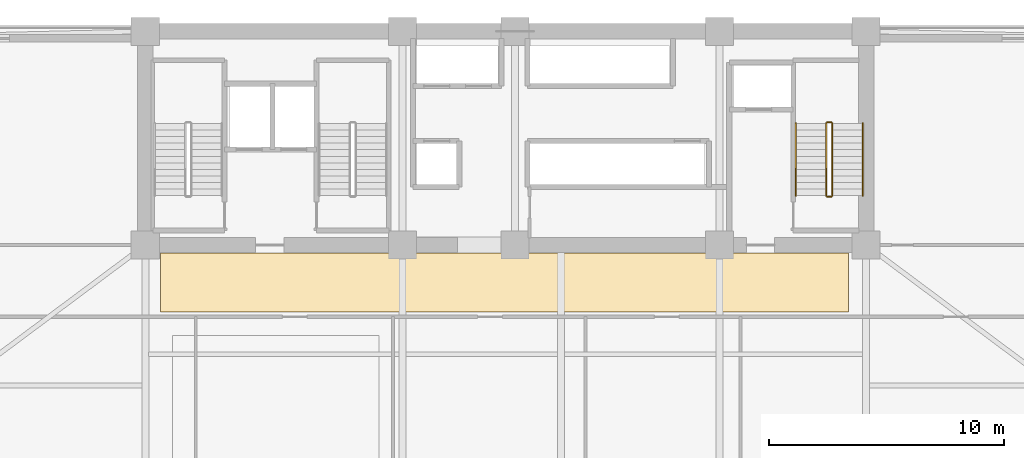
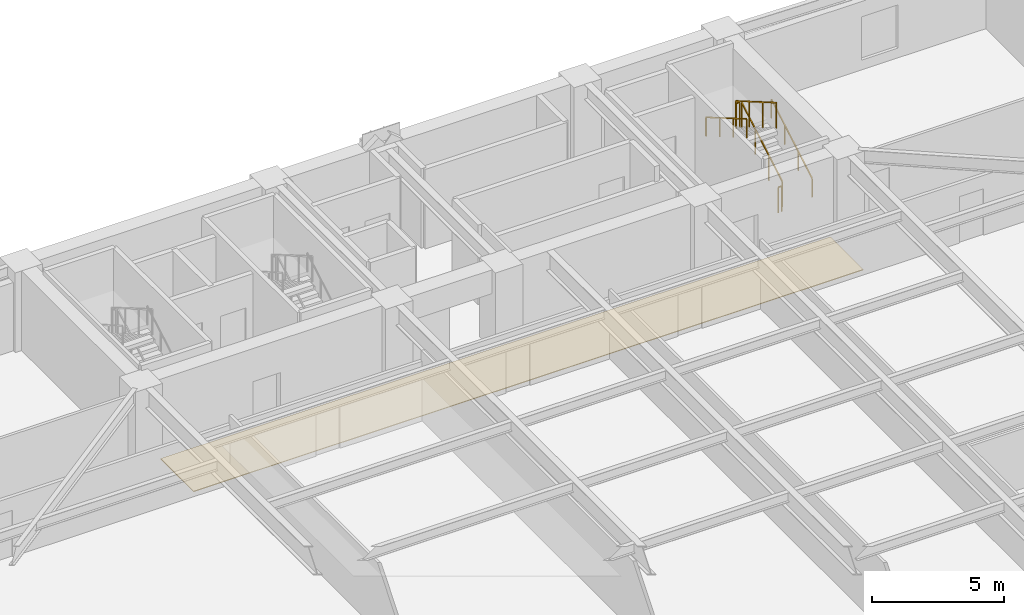
# One storey, part 16 of 17: 6 railings, 1 covering.
"""IFC4 building model written with IfcOpenShell, lengths in metres."""

from ifc_helpers import new_model, si_unit, direction, frame, origin, origin_2d, place, context, subcontext, project, spatial, polyline, rectangle, outline, extrude, material, layer, layer_set, type_object, element, save


model = new_model("IFC4")

# Units and contexts
model_context = context("Model", 3, precision=1e-05, world=origin(), true_north=direction((0.0, 1.0)))
body_context = subcontext(model_context, "Body", "Model", "MODEL_VIEW")
ifc_project = project(units=[si_unit("LENGTHUNIT", "METRE"), si_unit("AREAUNIT", "SQUARE_METRE"), si_unit("VOLUMEUNIT", "CUBIC_METRE"), si_unit("PLANEANGLEUNIT", "RADIAN"), si_unit("MASSUNIT", "GRAM", prefix="KILO")], contexts=[model_context])

# Site, building, storey
site_placement = place(None, origin())
site = spatial("IfcSite", under=ifc_project, at=site_placement, CompositionType="ELEMENT")
building_placement = place(site_placement, origin())
building = spatial("IfcBuilding", under=site, at=building_placement, Name="Giltprow Tower", CompositionType="ELEMENT")
storey_placement = place(building_placement, frame((0.0, 0.0, 57.199951171875)))
storey = spatial("IfcBuildingStorey", under=building, at=storey_placement, Name="L14", CompositionType="ELEMENT", Elevation=57.199951171875)

# Covering
ifc_material_1 = material(Name="Honed granite", Category="masonry")
ifc_layer = layer(ifc_material_1, 0.030029296875, Name="Honed granite")
ifc_layer_set = layer_set([ifc_layer], Name="Honed granite")
covering_type = type_object("IfcCoveringType", Name="COV-FLR-STONE", PredefinedType="FLOORING", material=ifc_layer_set)
covering_placement = place(storey_placement, origin())
element("IfcCovering", 1, at=covering_placement, inside=storey, type_object=covering_type, Name="L14 Office Corridor Stone Flooring", PredefinedType="FLOORING", context=body_context, shape_type="SweptSolid", body=[
    extrude(outline(polyline([(20.5, 34.60009765625), (49.800048828125, 34.60009765625), (49.800048828125, 37.10009765625), (20.5, 37.10009765625), (20.5, 34.60009765625)])), origin(), (0.0, 0.0, 1.0), 0.030029296875),
])

# Railings
ifc_material_2 = material(Name="Anodized bronze", Category="metal")
railing_type_1 = type_object("IfcRailingType", Name="RAIL-STAIR-GUARD-1200", PredefinedType="GUARDRAIL", material=ifc_material_2)
railing_1_placement = place(storey_placement, frame((49.110107421875, 39.550048828125, 0.16259765625)))
element("IfcRailing", 2, at=railing_1_placement, inside=storey, type_object=railing_type_1, Name="L14 ST-3 stair guard 1", PredefinedType="GUARDRAIL", context=body_context, shape_type="SweptSolid", body=[
    extrude(rectangle(XDim=0.048095703125, YDim=0.048095703125, at=origin_2d()), frame((0.0, 0.0, 1.17578125), z_axis=(0.0, 0.864903211148, 0.501938676878), x_axis=(-1.0, 0.0, 0.0)), (0.0, 0.0, 1.0), 3.560791015625),
    extrude(rectangle(XDim=0.0419921875, YDim=0.0419921875, at=origin_2d()), origin(), (0.0, 0.0, 1.0), 1.15185546875),
    extrude(rectangle(XDim=0.0419921875, YDim=0.0419921875, at=origin_2d()), frame((0.0, 1.026611328125, 0.595703125)), (0.0, 0.0, 1.0), 1.15185546875),
    extrude(rectangle(XDim=0.0419921875, YDim=0.0419921875, at=origin_2d()), frame((0.0, 2.05322265625, 1.191650390625)), (0.0, 0.0, 1.0), 1.15185546875),
    extrude(rectangle(XDim=0.0419921875, YDim=0.0419921875, at=origin_2d()), frame((0.0, 3.079833984375, 1.787353515625)), (0.0, 0.0, 1.0), 1.15185546875),
])
railing_2_placement = place(storey_placement, frame((49.06005859375, 42.679931640625, 1.949951171875)))
element("IfcRailing", 3, at=railing_2_placement, inside=storey, type_object=railing_type_1, Name="L14 ST-3 stair guard 2", PredefinedType="GUARDRAIL", context=body_context, shape_type="SweptSolid", body=[
    extrude(rectangle(XDim=0.048095703125, YDim=0.048095703125, at=origin_2d()), frame((0.0, 0.0, 1.17578125), z_axis=(-1.0, 0.0, 0.0), x_axis=(0.0, -1.0, 0.0)), (0.0, 0.0, 1.0), 0.16015625),
    extrude(rectangle(XDim=0.0419921875, YDim=0.0419921875, at=origin_2d()), origin(), (0.0, 0.0, 1.0), 1.15185546875),
    extrude(rectangle(XDim=0.0419921875, YDim=0.0419921875, at=origin_2d()), frame((-0.16015625, 0.0, 0.0)), (0.0, 0.0, 1.0), 1.15185546875),
])
railing_3_placement = place(storey_placement, frame((48.85009765625, 42.6298828125, 2.112548828125)))
element("IfcRailing", 4, at=railing_3_placement, inside=storey, type_object=railing_type_1, Name="L14 ST-3 stair guard 3", PredefinedType="GUARDRAIL", context=body_context, shape_type="SweptSolid", body=[
    extrude(rectangle(XDim=0.048095703125, YDim=0.048095703125, at=origin_2d()), frame((0.0, 0.0, 1.17578125), z_axis=(0.0, -0.864873446163, 0.501989962173), x_axis=(1.0, 0.0, 0.0)), (0.0, 0.0, 1.0), 3.56103515625),
    extrude(rectangle(XDim=0.0419921875, YDim=0.0419921875, at=origin_2d()), origin(), (0.0, 0.0, 1.0), 1.15185546875),
    extrude(rectangle(XDim=0.0419921875, YDim=0.0419921875, at=origin_2d()), frame((0.0, -1.026611328125, 0.595947265625)), (0.0, 0.0, 1.0), 1.15185546875),
    extrude(rectangle(XDim=0.0419921875, YDim=0.0419921875, at=origin_2d()), frame((0.0, -2.05322265625, 1.191650390625)), (0.0, 0.0, 1.0), 1.15185546875),
    extrude(rectangle(XDim=0.0419921875, YDim=0.0419921875, at=origin_2d()), frame((0.0, -3.079833984375, 1.78759765625)), (0.0, 0.0, 1.0), 1.15185546875),
])
railing_4_placement = place(storey_placement, frame((49.06005859375, 39.5, 0.0)))
element("IfcRailing", 5, at=railing_4_placement, inside=storey, type_object=railing_type_1, Name="L14 ST-3 stair guard 4", PredefinedType="GUARDRAIL", context=body_context, shape_type="SweptSolid", body=[
    extrude(rectangle(XDim=0.048095703125, YDim=0.048095703125, at=origin_2d()), frame((0.0, 0.0, 1.17578125), z_axis=(-1.0, 0.0, 0.0), x_axis=(0.0, -1.0, 0.0)), (0.0, 0.0, 1.0), 0.16015625),
    extrude(rectangle(XDim=0.0419921875, YDim=0.0419921875, at=origin_2d()), origin(), (0.0, 0.0, 1.0), 1.15185546875),
    extrude(rectangle(XDim=0.0419921875, YDim=0.0419921875, at=origin_2d()), frame((-0.16015625, 0.0, 0.0)), (0.0, 0.0, 1.0), 1.15185546875),
])
railing_type_2 = type_object("IfcRailingType", Name="RAIL-STAIR-HAND-900", PredefinedType="HANDRAIL", material=ifc_material_2)
railing_5_placement = place(storey_placement, frame((50.409912109375, 39.550048828125, 0.16259765625)))
element("IfcRailing", 6, at=railing_5_placement, inside=storey, type_object=railing_type_2, Name="L14 ST-3 stair handrail 1", PredefinedType="HANDRAIL", context=body_context, shape_type="SweptSolid", body=[
    extrude(rectangle(XDim=0.048095703125, YDim=0.048095703125, at=origin_2d()), frame((0.0, 0.0, 0.8759765625), z_axis=(0.0, 0.864903211148, 0.501938676878), x_axis=(-1.0, 0.0, 0.0)), (0.0, 0.0, 1.0), 3.560791015625),
    extrude(rectangle(XDim=0.0419921875, YDim=0.0419921875, at=origin_2d()), origin(), (0.0, 0.0, 1.0), 0.851806640625),
    extrude(rectangle(XDim=0.0419921875, YDim=0.0419921875, at=origin_2d()), frame((0.0, 1.026611328125, 0.595703125)), (0.0, 0.0, 1.0), 0.851806640625),
    extrude(rectangle(XDim=0.0419921875, YDim=0.0419921875, at=origin_2d()), frame((0.0, 2.05322265625, 1.191650390625)), (0.0, 0.0, 1.0), 0.851806640625),
    extrude(rectangle(XDim=0.0419921875, YDim=0.0419921875, at=origin_2d()), frame((0.0, 3.079833984375, 1.787353515625)), (0.0, 0.0, 1.0), 0.851806640625),
])
railing_6_placement = place(storey_placement, frame((47.550048828125, 42.6298828125, 2.112548828125)))
element("IfcRailing", 7, at=railing_6_placement, inside=storey, type_object=railing_type_2, Name="L14 ST-3 stair handrail 2", PredefinedType="HANDRAIL", context=body_context, shape_type="SweptSolid", body=[
    extrude(rectangle(XDim=0.048095703125, YDim=0.048095703125, at=origin_2d()), frame((0.0, 0.0, 0.8759765625), z_axis=(0.0, -0.864873446163, 0.501989962173), x_axis=(1.0, 0.0, 0.0)), (0.0, 0.0, 1.0), 3.56103515625),
    extrude(rectangle(XDim=0.0419921875, YDim=0.0419921875, at=origin_2d()), origin(), (0.0, 0.0, 1.0), 0.851806640625),
    extrude(rectangle(XDim=0.0419921875, YDim=0.0419921875, at=origin_2d()), frame((0.0, -1.026611328125, 0.595947265625)), (0.0, 0.0, 1.0), 0.851806640625),
    extrude(rectangle(XDim=0.0419921875, YDim=0.0419921875, at=origin_2d()), frame((0.0, -2.05322265625, 1.191650390625)), (0.0, 0.0, 1.0), 0.851806640625),
    extrude(rectangle(XDim=0.0419921875, YDim=0.0419921875, at=origin_2d()), frame((0.0, -3.079833984375, 1.78759765625)), (0.0, 0.0, 1.0), 0.851806640625),
])

save(model, "model.ifc")
